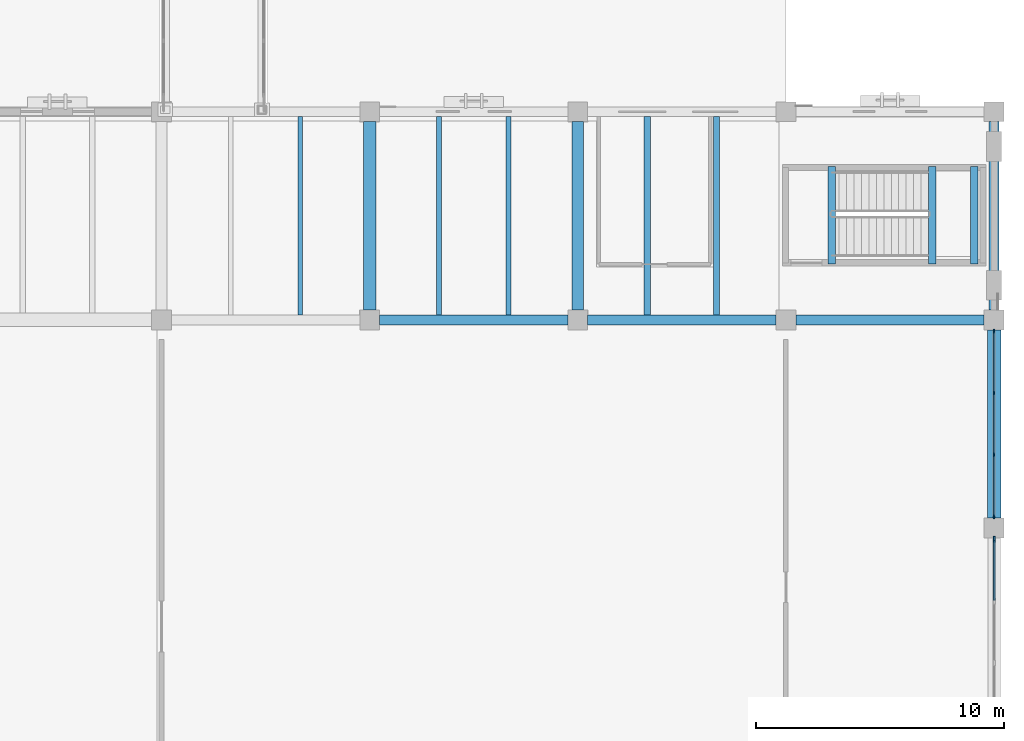
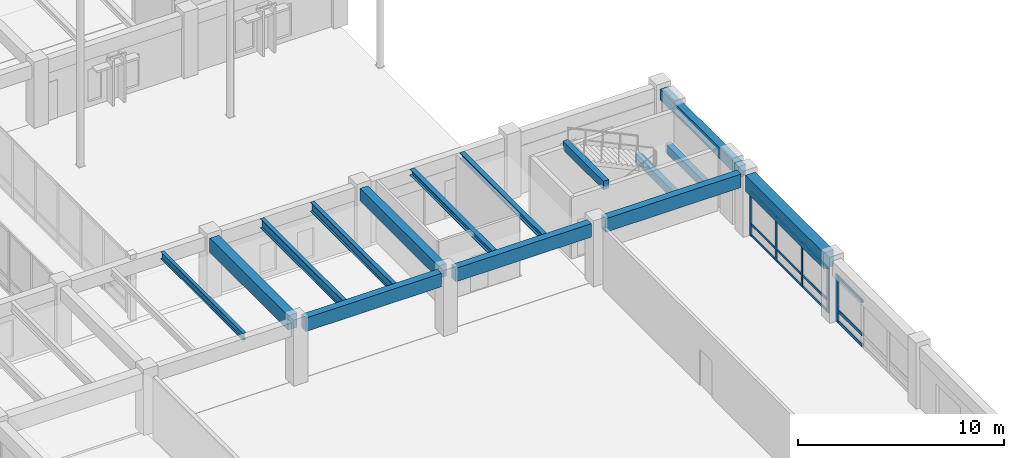
# One storey, part 57 of 135: 17 members, 15 beams, 2 elements without a shape of their own.
"""IFC4 building model written with IfcOpenShell, lengths in metres."""

from ifc_helpers import new_model, si_unit, direction, frame, origin, origin_2d, place, context, subcontext, project, spatial, rectangle, i_section, extrude, material, material_profile, profile_set, type_object, element, aggregate, save


model = new_model("IFC4")

# Units and contexts
model_context = context("Model", 3, precision=1e-05, world=origin(), true_north=direction((0.0, 1.0)))
body_context = subcontext(model_context, "Body", "Model", "MODEL_VIEW")
ifc_project = project(units=[si_unit("LENGTHUNIT", "METRE"), si_unit("AREAUNIT", "SQUARE_METRE"), si_unit("VOLUMEUNIT", "CUBIC_METRE"), si_unit("PLANEANGLEUNIT", "RADIAN"), si_unit("MASSUNIT", "GRAM", prefix="KILO")], contexts=[model_context])

# Site, building, storey
site_placement = place(None, origin())
site = spatial("IfcSite", under=ifc_project, at=site_placement, CompositionType="ELEMENT")
building_placement = place(site_placement, origin())
building = spatial("IfcBuilding", under=site, at=building_placement, Name="Cumbredor Promenade Congress Hotel", CompositionType="ELEMENT")
storey_placement = place(building_placement, origin())
storey = spatial("IfcBuildingStorey", under=building, at=storey_placement, Name="L00", CompositionType="ELEMENT", Elevation=0.0)

# Beams
ifc_material_1 = material(Name="Concrete C40/50", Category="concrete")
ifc_material_profile_1 = material_profile(ifc_material_1, rectangle(XDim=0.39990234375, YDim=0.64990234375, at=origin_2d()), Name="RC BEAM 400x650")
ifc_profile_set_1 = profile_set([ifc_material_profile_1], Name="Concrete C40/50")
beam_type_1 = type_object("IfcBeamType", Name="BM-RC-400x650", PredefinedType="BEAM", material=ifc_profile_set_1)
beam_1_placement = place(storey_placement, frame((184.800048828125, 59.199951171875, 3.31494140625), z_axis=(0.0, 1.0, 0.0), x_axis=(-1.0, 0.0, 0.0)))
element("IfcBeam", 1, at=beam_1_placement, inside=storey, type_object=beam_type_1, Name="L01 Y-Grid Beam 282", PredefinedType="BEAM", context=body_context, shape_type="SweptSolid", body=[
    extrude(rectangle(XDim=0.39990234375, YDim=0.64990234375, at=origin_2d()), origin(), (0.0, 0.0, 1.0), 7.60009765625),
])
ifc_material_profile_2 = material_profile(ifc_material_1, rectangle(XDim=0.449951171875, YDim=0.75, at=origin_2d()), Name="RC BEAM 450x750")
ifc_profile_set_2 = profile_set([ifc_material_profile_2], Name="Concrete C40/50")
beam_type_2 = type_object("IfcBeamType", Name="BM-RC-450x750", PredefinedType="BEAM", material=ifc_profile_set_2)
beam_2_placement = place(storey_placement, frame((168.0, 59.199951171875, 3.264892578125), z_axis=(0.0, 1.0, 0.0), x_axis=(-1.0, 0.0, 0.0)))
element("IfcBeam", 2, at=beam_2_placement, inside=storey, type_object=beam_type_2, Name="L01 Y-Grid Beam 259", PredefinedType="BEAM", context=body_context, shape_type="SweptSolid", body=[
    extrude(rectangle(XDim=0.449951171875, YDim=0.75, at=origin_2d()), origin(), (0.0, 0.0, 1.0), 7.60009765625),
])
ifc_material_profile_3 = material_profile(ifc_material_1, rectangle(XDim=0.5, YDim=0.85009765625, at=origin_2d()), Name="RC BEAM 500x850")
ifc_profile_set_3 = profile_set([ifc_material_profile_3], Name="Concrete C40/50")
beam_type_3 = type_object("IfcBeamType", Name="BM-RC-500x850", PredefinedType="BEAM", material=ifc_profile_set_3)
beam_3_placement = place(storey_placement, frame((159.60009765625, 59.199951171875, 3.215087890625), z_axis=(0.0, 1.0, 0.0), x_axis=(-1.0, 0.0, 0.0)))
element("IfcBeam", 3, at=beam_3_placement, inside=storey, type_object=beam_type_3, Name="L01 Y-Grid Beam 244", PredefinedType="BEAM", context=body_context, shape_type="SweptSolid", body=[
    extrude(rectangle(XDim=0.5, YDim=0.85009765625, at=origin_2d()), origin(), (0.0, 0.0, 1.0), 7.60009765625),
])
ifc_material_profile_4 = material_profile(ifc_material_1, rectangle(XDim=0.550048828125, YDim=0.949951171875, at=origin_2d()), Name="RC BEAM 550x950")
ifc_profile_set_4 = profile_set([ifc_material_profile_4], Name="Concrete C40/50")
beam_type_4 = type_object("IfcBeamType", Name="BM-RC-550x950", PredefinedType="BEAM", material=ifc_profile_set_4)
beam_4_placement = place(storey_placement, frame((184.800048828125, 50.800048828125, 3.1650390625), z_axis=(0.0, 1.0, 0.0), x_axis=(-1.0, 0.0, 0.0)))
element("IfcBeam", 4, at=beam_4_placement, inside=storey, type_object=beam_type_4, Name="L01 Y-Grid Beam 281", PredefinedType="BEAM", context=body_context, shape_type="SweptSolid", body=[
    extrude(rectangle(XDim=0.550048828125, YDim=0.949951171875, at=origin_2d()), origin(), (0.0, 0.0, 1.0), 7.599853515625),
])

# Curtain wall, members
ifc_material_2 = material(Name="Thermally broken anodized aluminium and low-E glass", Category="aluminium")
curtain_wall_type = type_object("IfcCurtainWallType", Name="Unitised Grand Foyer Curtain Wall CW-04", PredefinedType="NOTDEFINED", material=ifc_material_2)
curtain_wall_1_placement = place(storey_placement, origin())
curtain_wall_1 = element("IfcCurtainWall", 5, at=curtain_wall_1_placement, inside=storey, type_object=curtain_wall_type, Name="L00 Grand Ballroom Pavilion East Curtain Wall 6", PredefinedType="NOTDEFINED")
ifc_material_3 = material(Name="Thermally broken anodized aluminium", Category="aluminium")
ifc_material_profile_5 = material_profile(ifc_material_3, rectangle(XDim=0.06494140625, YDim=0.159912109375, at=origin_2d()), Name="ALU MULLION 65x160")
ifc_profile_set_5 = profile_set([ifc_material_profile_5], Name="Thermally broken anodized aluminium")
member_type_1 = type_object("IfcMemberType", Name="Curtain Wall Mullion ML-01", PredefinedType="MULLION", material=ifc_profile_set_5)
member_1_placement = place(storey_placement, frame((184.800048828125, 50.85498046875, -0.008056640625), z_axis=(0.0, 0.0, 1.0), x_axis=(1.0, 0.0, 0.0)))
member_1 = element("IfcMember", 6, at=member_1_placement, type_object=member_type_1, Name="L00 Grand Ballroom Pavilion East Curtain Wall 6 Mullion 1", PredefinedType="MULLION", context=body_context, shape_type="SweptSolid", body=[
    extrude(rectangle(XDim=0.06494140625, YDim=0.159912109375, at=origin_2d()), origin(), (0.0, 0.0, 1.0), 2.691162109375),
])
member_2_placement = place(storey_placement, frame((184.800048828125, 53.351806640625, -0.008056640625), z_axis=(0.0, 0.0, 1.0), x_axis=(1.0, 0.0, 0.0)))
member_2 = element("IfcMember", 7, at=member_2_placement, type_object=member_type_1, Name="L00 Grand Ballroom Pavilion East Curtain Wall 6 Mullion 2", PredefinedType="MULLION", context=body_context, shape_type="SweptSolid", body=[
    extrude(rectangle(XDim=0.06494140625, YDim=0.159912109375, at=origin_2d()), origin(), (0.0, 0.0, 1.0), 2.691162109375),
])
member_3_placement = place(storey_placement, frame((184.800048828125, 55.848388671875, -0.008056640625), z_axis=(0.0, 0.0, 1.0), x_axis=(1.0, 0.0, 0.0)))
member_3 = element("IfcMember", 8, at=member_3_placement, type_object=member_type_1, Name="L00 Grand Ballroom Pavilion East Curtain Wall 6 Mullion 3", PredefinedType="MULLION", context=body_context, shape_type="SweptSolid", body=[
    extrude(rectangle(XDim=0.06494140625, YDim=0.159912109375, at=origin_2d()), origin(), (0.0, 0.0, 1.0), 2.691162109375),
])
member_4_placement = place(storey_placement, frame((184.800048828125, 58.344970703125, -0.008056640625), z_axis=(0.0, 0.0, 1.0), x_axis=(1.0, 0.0, 0.0)))
member_4 = element("IfcMember", 9, at=member_4_placement, type_object=member_type_1, Name="L00 Grand Ballroom Pavilion East Curtain Wall 6 Mullion 4", PredefinedType="MULLION", context=body_context, shape_type="SweptSolid", body=[
    extrude(rectangle(XDim=0.06494140625, YDim=0.159912109375, at=origin_2d()), origin(), (0.0, 0.0, 1.0), 2.691162109375),
])

# Curtain wall, member
curtain_wall_2_placement = place(storey_placement, origin())
curtain_wall_2 = element("IfcCurtainWall", 10, at=curtain_wall_2_placement, inside=storey, type_object=curtain_wall_type, Name="L00 Grand Ballroom Pavilion East Curtain Wall 5", PredefinedType="NOTDEFINED")
ifc_material_profile_6 = material_profile(ifc_material_3, rectangle(XDim=0.080078125, YDim=0.239990234375, at=origin_2d()), Name="ALU MULLION 80x240")
ifc_profile_set_6 = profile_set([ifc_material_profile_6], Name="Thermally broken anodized aluminium")
member_type_2 = type_object("IfcMemberType", Name="Curtain Wall Mullion ML-03", PredefinedType="MULLION", material=ifc_profile_set_6)
member_5_placement = place(storey_placement, frame((184.800048828125, 49.945068359375, -0.008056640625), z_axis=(0.0, 0.0, 1.0), x_axis=(1.0, 0.0, 0.0)))
member_5 = element("IfcMember", 11, at=member_5_placement, type_object=member_type_2, Name="L00 Grand Ballroom Pavilion East Curtain Wall 5 Mullion 4", PredefinedType="MULLION", context=body_context, shape_type="SweptSolid", body=[
    extrude(rectangle(XDim=0.080078125, YDim=0.239990234375, at=origin_2d()), origin(), (0.0, 0.0, 1.0), 2.791015625),
])

# Member
ifc_material_profile_7 = material_profile(ifc_material_3, rectangle(XDim=0.06494140625, YDim=0.1298828125, at=origin_2d()), Name="ALU TRANSOM 65x130")
ifc_profile_set_7 = profile_set([ifc_material_profile_7], Name="Thermally broken anodized aluminium")
member_type_3 = type_object("IfcMemberType", Name="Curtain Wall Transom TR-01", PredefinedType="USERDEFINED", material=ifc_profile_set_7)
member_6_placement = place(storey_placement, frame((184.800048828125, 50.887451171875, 0.070068359375), z_axis=(0.0, 1.0, 0.0), x_axis=(-1.0, 0.0, 0.0)))
member_6 = element("IfcMember", 12, at=member_6_placement, type_object=member_type_3, Name="L00 Grand Ballroom Pavilion East Curtain Wall 6 Transom 1.1", ObjectType="TRANSOM", PredefinedType="USERDEFINED", context=body_context, shape_type="SweptSolid", body=[
    extrude(rectangle(XDim=0.06494140625, YDim=0.1298828125, at=origin_2d()), origin(), (0.0, 0.0, 1.0), 2.431640625),
])

member_7_placement = place(storey_placement, frame((184.800048828125, 50.887451171875, 0.719970703125), z_axis=(0.0, 1.0, 0.0), x_axis=(-1.0, 0.0, 0.0)))
member_7 = element("IfcMember", 13, at=member_7_placement, type_object=member_type_3, Name="L00 Grand Ballroom Pavilion East Curtain Wall 6 Transom 1.2", ObjectType="TRANSOM", PredefinedType="USERDEFINED", context=body_context, shape_type="SweptSolid", body=[
    extrude(rectangle(XDim=0.06494140625, YDim=0.1298828125, at=origin_2d()), origin(), (0.0, 0.0, 1.0), 2.431640625),
])

member_8_placement = place(storey_placement, frame((184.800048828125, 50.887451171875, 2.610107421875), z_axis=(0.0, 1.0, 0.0), x_axis=(-1.0, 0.0, 0.0)))
member_8 = element("IfcMember", 14, at=member_8_placement, type_object=member_type_3, Name="L00 Grand Ballroom Pavilion East Curtain Wall 6 Transom 1.3", ObjectType="TRANSOM", PredefinedType="USERDEFINED", context=body_context, shape_type="SweptSolid", body=[
    extrude(rectangle(XDim=0.06494140625, YDim=0.1298828125, at=origin_2d()), origin(), (0.0, 0.0, 1.0), 2.431640625),
])

member_9_placement = place(storey_placement, frame((184.800048828125, 53.38427734375, 0.070068359375), z_axis=(0.0, 1.0, 0.0), x_axis=(-1.0, 0.0, 0.0)))
member_9 = element("IfcMember", 15, at=member_9_placement, type_object=member_type_3, Name="L00 Grand Ballroom Pavilion East Curtain Wall 6 Transom 2.1", ObjectType="TRANSOM", PredefinedType="USERDEFINED", context=body_context, shape_type="SweptSolid", body=[
    extrude(rectangle(XDim=0.06494140625, YDim=0.1298828125, at=origin_2d()), origin(), (0.0, 0.0, 1.0), 2.431640625),
])

member_10_placement = place(storey_placement, frame((184.800048828125, 53.38427734375, 0.719970703125), z_axis=(0.0, 1.0, 0.0), x_axis=(-1.0, 0.0, 0.0)))
member_10 = element("IfcMember", 16, at=member_10_placement, type_object=member_type_3, Name="L00 Grand Ballroom Pavilion East Curtain Wall 6 Transom 2.2", ObjectType="TRANSOM", PredefinedType="USERDEFINED", context=body_context, shape_type="SweptSolid", body=[
    extrude(rectangle(XDim=0.06494140625, YDim=0.1298828125, at=origin_2d()), origin(), (0.0, 0.0, 1.0), 2.431640625),
])

member_11_placement = place(storey_placement, frame((184.800048828125, 53.38427734375, 2.610107421875), z_axis=(0.0, 1.0, 0.0), x_axis=(-1.0, 0.0, 0.0)))
member_11 = element("IfcMember", 17, at=member_11_placement, type_object=member_type_3, Name="L00 Grand Ballroom Pavilion East Curtain Wall 6 Transom 2.3", ObjectType="TRANSOM", PredefinedType="USERDEFINED", context=body_context, shape_type="SweptSolid", body=[
    extrude(rectangle(XDim=0.06494140625, YDim=0.1298828125, at=origin_2d()), origin(), (0.0, 0.0, 1.0), 2.431640625),
])

member_12_placement = place(storey_placement, frame((184.800048828125, 55.880859375, 0.070068359375), z_axis=(0.0, 1.0, 0.0), x_axis=(-1.0, 0.0, 0.0)))
member_12 = element("IfcMember", 18, at=member_12_placement, type_object=member_type_3, Name="L00 Grand Ballroom Pavilion East Curtain Wall 6 Transom 3.1", ObjectType="TRANSOM", PredefinedType="USERDEFINED", context=body_context, shape_type="SweptSolid", body=[
    extrude(rectangle(XDim=0.06494140625, YDim=0.1298828125, at=origin_2d()), origin(), (0.0, 0.0, 1.0), 2.431640625),
])

member_13_placement = place(storey_placement, frame((184.800048828125, 55.880859375, 0.719970703125), z_axis=(0.0, 1.0, 0.0), x_axis=(-1.0, 0.0, 0.0)))
member_13 = element("IfcMember", 19, at=member_13_placement, type_object=member_type_3, Name="L00 Grand Ballroom Pavilion East Curtain Wall 6 Transom 3.2", ObjectType="TRANSOM", PredefinedType="USERDEFINED", context=body_context, shape_type="SweptSolid", body=[
    extrude(rectangle(XDim=0.06494140625, YDim=0.1298828125, at=origin_2d()), origin(), (0.0, 0.0, 1.0), 2.431640625),
])

member_14_placement = place(storey_placement, frame((184.800048828125, 55.880859375, 2.610107421875), z_axis=(0.0, 1.0, 0.0), x_axis=(-1.0, 0.0, 0.0)))
member_14 = element("IfcMember", 20, at=member_14_placement, type_object=member_type_3, Name="L00 Grand Ballroom Pavilion East Curtain Wall 6 Transom 3.3", ObjectType="TRANSOM", PredefinedType="USERDEFINED", context=body_context, shape_type="SweptSolid", body=[
    extrude(rectangle(XDim=0.06494140625, YDim=0.1298828125, at=origin_2d()), origin(), (0.0, 0.0, 1.0), 2.431640625),
])

aggregate(curtain_wall_1, [member_1, member_2, member_3, member_4, member_6, member_7, member_8, member_9, member_10, member_11, member_12, member_13, member_14])

ifc_material_profile_8 = material_profile(ifc_material_3, rectangle(XDim=0.080078125, YDim=0.179931640625, at=origin_2d()), Name="ALU TRANSOM 80x180")
ifc_profile_set_8 = profile_set([ifc_material_profile_8], Name="Thermally broken anodized aluminium")
member_type_4 = type_object("IfcMemberType", Name="Curtain Wall Transom TR-03", PredefinedType="USERDEFINED", material=ifc_profile_set_8)
member_15_placement = place(storey_placement, frame((184.800048828125, 47.48828125, 0.090087890625), z_axis=(0.0, 1.0, 0.0), x_axis=(-1.0, 0.0, 0.0)))
member_15 = element("IfcMember", 21, at=member_15_placement, type_object=member_type_4, Name="L00 Grand Ballroom Pavilion East Curtain Wall 5 Transom 3.1", ObjectType="TRANSOM", PredefinedType="USERDEFINED", context=body_context, shape_type="SweptSolid", body=[
    extrude(rectangle(XDim=0.080078125, YDim=0.179931640625, at=origin_2d()), origin(), (0.0, 0.0, 1.0), 2.416748046875),
])

member_16_placement = place(storey_placement, frame((184.800048828125, 47.48828125, 0.719970703125), z_axis=(0.0, 1.0, 0.0), x_axis=(-1.0, 0.0, 0.0)))
member_16 = element("IfcMember", 22, at=member_16_placement, type_object=member_type_4, Name="L00 Grand Ballroom Pavilion East Curtain Wall 5 Transom 3.2", ObjectType="TRANSOM", PredefinedType="USERDEFINED", context=body_context, shape_type="SweptSolid", body=[
    extrude(rectangle(XDim=0.080078125, YDim=0.179931640625, at=origin_2d()), origin(), (0.0, 0.0, 1.0), 2.416748046875),
])

member_17_placement = place(storey_placement, frame((184.800048828125, 47.48828125, 2.68994140625), z_axis=(0.0, 1.0, 0.0), x_axis=(-1.0, 0.0, 0.0)))
member_17 = element("IfcMember", 23, at=member_17_placement, type_object=member_type_4, Name="L00 Grand Ballroom Pavilion East Curtain Wall 5 Transom 3.3", ObjectType="TRANSOM", PredefinedType="USERDEFINED", context=body_context, shape_type="SweptSolid", body=[
    extrude(rectangle(XDim=0.080078125, YDim=0.179931640625, at=origin_2d()), origin(), (0.0, 0.0, 1.0), 2.416748046875),
])

aggregate(curtain_wall_2, [member_5, member_15, member_16, member_17])

# Beams
ifc_material_4 = material(Name="Steel ASTM A992 Grade 50", Category="steel")
ifc_material_profile_9 = material_profile(ifc_material_4, i_section(OverallWidth=0.2548828125, OverallDepth=0.35693359375, WebThickness=0.010498046875, FlangeThickness=0.018310546875, at=origin_2d()), Name="W14X68")
ifc_profile_set_9 = profile_set([ifc_material_profile_9], Name="Steel ASTM A992 Grade 50")
beam_type_5 = type_object("IfcBeamType", Name="JST-W14X68", PredefinedType="JOIST", material=ifc_profile_set_9)
for number, where, z_axis, x_axis, name in (
    (24, (170.800048828125, 59.0, 3.46142578125), (0.0, 1.0, 0.0), (-1.0, 0.0, 0.0), "L01 Secondary Floor Joist 0149"),
    (25, (173.60009765625, 59.0, 3.46142578125), (0.0, 1.0, 0.0), (-1.0, 0.0, 0.0), "L01 Secondary Floor Joist 0150"),
):
    element("IfcBeam", number, at=place(storey_placement, frame(where, z_axis=z_axis, x_axis=x_axis)), inside=storey, type_object=beam_type_5, Name=name, PredefinedType="JOIST", context=body_context, shape_type="SweptSolid", body=[
        extrude(i_section(OverallWidth=0.2548828125, OverallDepth=0.35693359375, WebThickness=0.010498046875, FlangeThickness=0.018310546875, at=origin_2d()), origin(), (0.0, 0.0, 1.0), 8.0),
    ])
ifc_material_profile_10 = material_profile(ifc_material_4, i_section(OverallWidth=0.180908203125, OverallDepth=0.4169921875, WebThickness=0.010986328125, FlangeThickness=0.018310546875, at=origin_2d()), Name="W16X57")
ifc_profile_set_10 = profile_set([ifc_material_profile_10], Name="Steel ASTM A992 Grade 50")
beam_type_6 = type_object("IfcBeamType", Name="JST-W16X57", PredefinedType="JOIST", material=ifc_profile_set_10)
beam_5_placement = place(storey_placement, frame((156.800048828125, 59.0, 3.431396484375), z_axis=(0.0, 1.0, 0.0), x_axis=(-1.0, 0.0, 0.0)))
element("IfcBeam", 26, at=beam_5_placement, inside=storey, type_object=beam_type_6, Name="L01 Secondary Floor Joist 0126", PredefinedType="JOIST", context=body_context, shape_type="SweptSolid", body=[
    extrude(i_section(OverallWidth=0.180908203125, OverallDepth=0.4169921875, WebThickness=0.010986328125, FlangeThickness=0.018310546875, at=origin_2d()), origin(), (0.0, 0.0, 1.0), 8.0),
])
ifc_material_profile_11 = material_profile(ifc_material_4, i_section(OverallWidth=0.214111328125, OverallDepth=0.549072265625, WebThickness=0.0146484375, FlangeThickness=0.023681640625, at=origin_2d()), Name="W21X93")
ifc_profile_set_11 = profile_set([ifc_material_profile_11], Name="Steel ASTM A992 Grade 50")
beam_type_7 = type_object("IfcBeamType", Name="JST-W21X93", PredefinedType="JOIST", material=ifc_profile_set_11)
for number, where, z_axis, x_axis, name in (
    (27, (162.39990234375, 59.0, 3.365478515625), (0.0, 1.0, 0.0), (-1.0, 0.0, 0.0), "L01 Secondary Floor Joist 0137"),
    (28, (165.199951171875, 59.0, 3.365478515625), (0.0, 1.0, 0.0), (-1.0, 0.0, 0.0), "L01 Secondary Floor Joist 0138"),
):
    element("IfcBeam", number, at=place(storey_placement, frame(where, z_axis=z_axis, x_axis=x_axis)), inside=storey, type_object=beam_type_7, Name=name, PredefinedType="JOIST", context=body_context, shape_type="SweptSolid", body=[
        extrude(i_section(OverallWidth=0.214111328125, OverallDepth=0.549072265625, WebThickness=0.0146484375, FlangeThickness=0.023681640625, at=origin_2d()), origin(), (0.0, 0.0, 1.0), 8.0),
    ])
ifc_material_profile_12 = material_profile(ifc_material_1, rectangle(XDim=0.300048828125, YDim=0.5, at=origin_2d()), Name="RC LINTEL 300x500")
ifc_profile_set_12 = profile_set([ifc_material_profile_12], Name="Concrete C40/50")
beam_type_8 = type_object("IfcBeamType", Name="LN-RC-300x500", PredefinedType="LINTEL", material=ifc_profile_set_12)
for number, where, z_axis, x_axis, name in (
    (29, (184.0, 61.050048828125, 1.510009765625), (0.0, 1.0, 0.0), (-1.0, 0.0, 0.0), "L00 Stair ST-10 Landing Ledger Beam E"),
    (30, (182.300048828125, 61.050048828125, 1.510009765625), (0.0, 1.0, 0.0), (-1.0, 0.0, 0.0), "L00 Stair ST-10 Landing Ledger Beam W"),
    (31, (178.25, 61.050048828125, 3.669921875), (0.0, 1.0, 0.0), (-1.0, 0.0, 0.0), "L01 Stair ST-10 Well Header Trimmer Beam"),
):
    element("IfcBeam", number, at=place(storey_placement, frame(where, z_axis=z_axis, x_axis=x_axis)), inside=storey, type_object=beam_type_8, Name=name, PredefinedType="LINTEL", context=body_context, shape_type="SweptSolid", body=[
        extrude(rectangle(XDim=0.300048828125, YDim=0.5, at=origin_2d()), origin(), (0.0, 0.0, 1.0), 3.949951171875),
    ])
ifc_material_profile_13 = material_profile(ifc_material_1, rectangle(XDim=0.39990234375, YDim=0.800048828125, at=origin_2d()), Name="RC SPANDREL 400x800")
ifc_profile_set_13 = profile_set([ifc_material_profile_13], Name="Concrete C40/50")
beam_type_9 = type_object("IfcBeamType", Name="SP-RC-400x800", PredefinedType="SPANDREL", material=ifc_profile_set_13)
for number, where, z_axis, x_axis, name in (
    (32, (160.0, 58.800048828125, 3.239990234375), (1.0, 0.0, 0.0), (0.0, 1.0, 0.0), "L01 X-Grid Beam 243"),
    (33, (168.39990234375, 58.800048828125, 3.239990234375), (1.0, 0.0, 0.0), (0.0, 1.0, 0.0), "L01 X-Grid Beam 258"),
):
    element("IfcBeam", number, at=place(storey_placement, frame(where, z_axis=z_axis, x_axis=x_axis)), inside=storey, type_object=beam_type_9, Name=name, PredefinedType="SPANDREL", context=body_context, shape_type="SweptSolid", body=[
        extrude(rectangle(XDim=0.39990234375, YDim=0.800048828125, at=origin_2d()), origin(), (0.0, 0.0, 1.0), 7.60009765625),
    ])
beam_6_placement = place(storey_placement, frame((176.800048828125, 58.800048828125, 3.239990234375), z_axis=(1.0, 0.0, 0.0), x_axis=(0.0, 1.0, 0.0)))
element("IfcBeam", 34, at=beam_6_placement, inside=storey, type_object=beam_type_9, Name="L01 X-Grid Beam 270", PredefinedType="SPANDREL", context=body_context, shape_type="SweptSolid", body=[
    extrude(rectangle(XDim=0.39990234375, YDim=0.800048828125, at=origin_2d()), origin(), (0.0, 0.0, 1.0), 7.599853515625),
])

save(model, "model.ifc")
